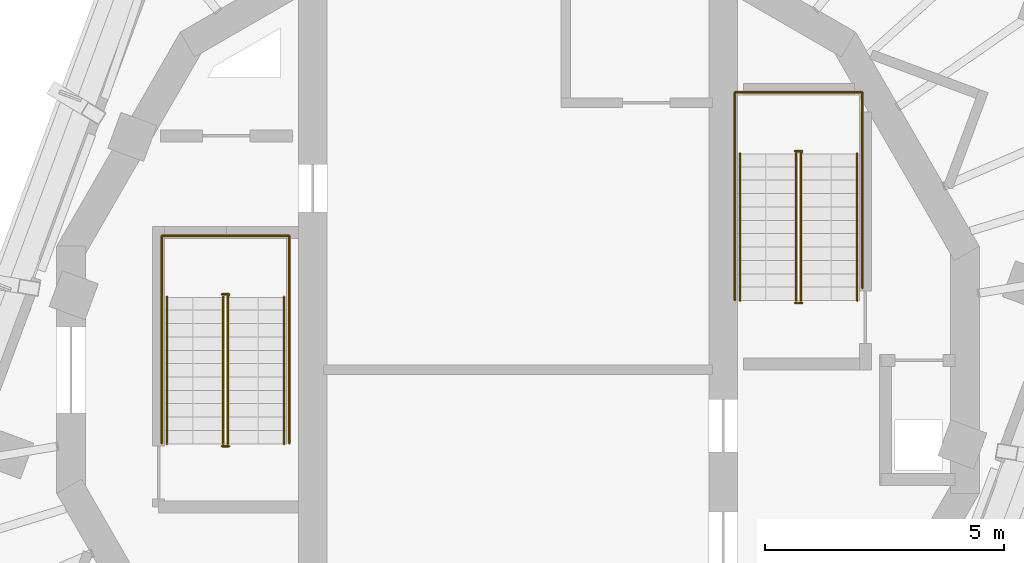
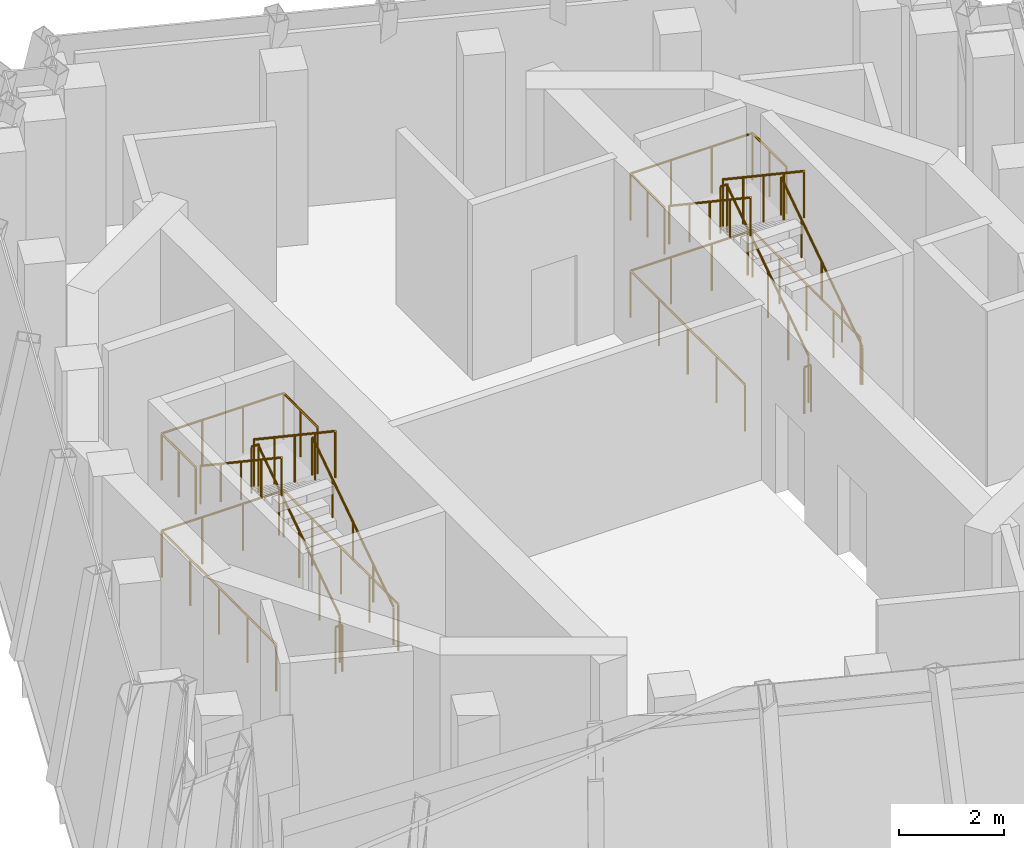
# One storey, part 11 of 11: 14 railings.
"""IFC4 building model written with IfcOpenShell, lengths in metres."""

from ifc_helpers import new_model, si_unit, direction, frame, origin, origin_2d, place, context, subcontext, project, spatial, circle, extrude, material, type_object, element, save


model = new_model("IFC4")

# Units and contexts
model_context = context("Model", 3, precision=1e-05, world=origin(), true_north=direction((0.0, 1.0)))
body_context = subcontext(model_context, "Body", "Model", "MODEL_VIEW")
ifc_project = project(units=[si_unit("LENGTHUNIT", "METRE"), si_unit("AREAUNIT", "SQUARE_METRE"), si_unit("VOLUMEUNIT", "CUBIC_METRE"), si_unit("PLANEANGLEUNIT", "RADIAN"), si_unit("MASSUNIT", "GRAM", prefix="KILO")], contexts=[model_context])

# Site, building, storey
site_placement = place(None, origin())
site = spatial("IfcSite", under=ifc_project, at=site_placement, CompositionType="ELEMENT")
building_placement = place(site_placement, origin())
building = spatial("IfcBuilding", under=site, at=building_placement, Name="Cantera Rosa Tower", CompositionType="ELEMENT")
storey_placement = place(building_placement, frame((0.0, 0.0, 369.699951171875)))
storey = spatial("IfcBuildingStorey", under=building, at=storey_placement, Name="L83", CompositionType="ELEMENT", Elevation=369.699951171875)

# Railings
ifc_material_1 = material(Name="Steel S355J2 (EN 10025-2)", Category="steel")
railing_type_1 = type_object("IfcRailingType", Name="STAIR GUARD 1100", PredefinedType="GUARDRAIL", material=ifc_material_1)
railing_1_placement = place(storey_placement, frame((-6.075927734375, -1.550048828125, 0.1875)))
element("IfcRailing", 1, at=railing_1_placement, inside=storey, type_object=railing_type_1, Name="L83 ST-71 stair guard 1", PredefinedType="GUARDRAIL", context=body_context, shape_type="SweptSolid", body=[
    extrude(circle(Radius=0.02392578125, at=origin_2d()), frame((0.0, 0.0, 1.076171875), z_axis=(0.0, 0.830913701846, 0.55640131208), x_axis=(-1.0, 0.0, 0.0)), (0.0, 0.0, 1.0), 3.706787109375),
    extrude(circle(Radius=0.02392578125, at=origin_2d()), frame((0.0, 3.080078125, 3.138671875), z_axis=(0.459305035911, 0.888278607187, 0.0), x_axis=(-0.888278607187, 0.459305035911, 0.0)), (0.0, 0.0, 1.0), 0.056396484375),
    extrude(circle(Radius=0.02392578125, at=origin_2d()), frame((0.02587890625, 3.130126953125, 3.138671875), z_axis=(-1.0, 0.0, 0.0), x_axis=(0.0, -1.0, 0.0)), (0.0, 0.0, 1.0), 0.14990234375),
    extrude(circle(Radius=0.02099609375, at=origin_2d()), origin(), (0.0, 0.0, 1.0), 1.052001953125),
    extrude(circle(Radius=0.02099609375, at=origin_2d()), frame((0.0, 0.77001953125, 0.515625)), (0.0, 0.0, 1.0), 1.052001953125),
    extrude(circle(Radius=0.02099609375, at=origin_2d()), frame((0.0, 1.5400390625, 1.03125)), (0.0, 0.0, 1.0), 1.052001953125),
    extrude(circle(Radius=0.02099609375, at=origin_2d()), frame((0.0, 2.31005859375, 1.546875)), (0.0, 0.0, 1.0), 1.052001953125),
    extrude(circle(Radius=0.02099609375, at=origin_2d()), frame((0.0, 3.080078125, 2.0625)), (0.0, 0.0, 1.0), 1.052001953125),
    extrude(circle(Radius=0.02099609375, at=origin_2d()), frame((0.02587890625, 3.130126953125, 2.0625)), (0.0, 0.0, 1.0), 1.052001953125),
    extrude(circle(Radius=0.02099609375, at=origin_2d()), frame((-0.1240234375, 3.130126953125, 2.0625)), (0.0, 0.0, 1.0), 1.052001953125),
])
railing_2_placement = place(storey_placement, frame((-6.174072265625, 1.530029296875, 2.4375)))
element("IfcRailing", 2, at=railing_2_placement, inside=storey, type_object=railing_type_1, Name="L83 ST-71 stair guard 2", PredefinedType="GUARDRAIL", context=body_context, shape_type="SweptSolid", body=[
    extrude(circle(Radius=0.02392578125, at=origin_2d()), frame((0.0, 0.0, 1.076171875), z_axis=(0.0, -0.830913701846, 0.55640131208), x_axis=(1.0, 0.0, 0.0)), (0.0, 0.0, 1.0), 3.706787109375),
    extrude(circle(Radius=0.02099609375, at=origin_2d()), origin(), (0.0, 0.0, 1.0), 1.052001953125),
    extrude(circle(Radius=0.02099609375, at=origin_2d()), frame((0.0, -0.77001953125, 0.515625)), (0.0, 0.0, 1.0), 1.052001953125),
    extrude(circle(Radius=0.02099609375, at=origin_2d()), frame((0.0, -1.5400390625, 1.03125)), (0.0, 0.0, 1.0), 1.052001953125),
    extrude(circle(Radius=0.02099609375, at=origin_2d()), frame((0.0, -2.31005859375, 1.546875)), (0.0, 0.0, 1.0), 1.052001953125),
    extrude(circle(Radius=0.02099609375, at=origin_2d()), frame((0.0, -3.080078125, 2.0625)), (0.0, 0.0, 1.0), 1.052001953125),
])
railing_3_placement = place(storey_placement, frame((-6.050048828125, -1.60009765625, 0.0)))
element("IfcRailing", 3, at=railing_3_placement, inside=storey, type_object=railing_type_1, Name="L83 ST-71 stair guard 3", PredefinedType="GUARDRAIL", context=body_context, shape_type="SweptSolid", body=[
    extrude(circle(Radius=0.02392578125, at=origin_2d()), frame((0.0, 0.0, 1.076171875), z_axis=(-1.0, 0.0, 0.0), x_axis=(0.0, -1.0, 0.0)), (0.0, 0.0, 1.0), 0.14990234375),
    extrude(circle(Radius=0.02099609375, at=origin_2d()), origin(), (0.0, 0.0, 1.0), 1.052001953125),
    extrude(circle(Radius=0.02099609375, at=origin_2d()), frame((-0.14990234375, 0.0, 0.0)), (0.0, 0.0, 1.0), 1.052001953125),
])
railing_4_placement = place(storey_placement, frame((-4.7900390625, -1.5380859375, 0.0)))
element("IfcRailing", 4, at=railing_4_placement, inside=storey, type_object=railing_type_1, Name="L83 ST-71 stair guard 4", PredefinedType="GUARDRAIL", context=body_context, shape_type="SweptSolid", body=[
    extrude(circle(Radius=0.02392578125, at=origin_2d()), frame((0.0, 0.0, 1.076171875), z_axis=(0.0, 1.0, 0.0), x_axis=(-1.0, 0.0, 0.0)), (0.0, 0.0, 1.0), 4.34814453125),
    extrude(circle(Radius=0.02392578125, at=origin_2d()), frame((0.0, 4.34814453125, 1.076171875), z_axis=(-1.0, 0.0, 0.0), x_axis=(0.0, -1.0, 0.0)), (0.0, 0.0, 1.0), 2.669921875),
    extrude(circle(Radius=0.02392578125, at=origin_2d()), frame((-2.669921875, 4.34814453125, 1.076171875), z_axis=(0.0, -1.0, 0.0), x_axis=(1.0, 0.0, 0.0)), (0.0, 0.0, 1.0), 4.34814453125),
    extrude(circle(Radius=0.02099609375, at=origin_2d()), origin(), (0.0, 0.0, 1.0), 1.052001953125),
    extrude(circle(Radius=0.02099609375, at=origin_2d()), frame((0.0, 1.0869140625, 0.0)), (0.0, 0.0, 1.0), 1.052001953125),
    extrude(circle(Radius=0.02099609375, at=origin_2d()), frame((0.0, 2.174072265625, 0.0)), (0.0, 0.0, 1.0), 1.052001953125),
    extrude(circle(Radius=0.02099609375, at=origin_2d()), frame((0.0, 3.26123046875, 0.0)), (0.0, 0.0, 1.0), 1.052001953125),
    extrude(circle(Radius=0.02099609375, at=origin_2d()), frame((0.0, 4.34814453125, 0.0)), (0.0, 0.0, 1.0), 1.052001953125),
    extrude(circle(Radius=0.02099609375, at=origin_2d()), frame((-0.889892578125, 4.34814453125, 0.0)), (0.0, 0.0, 1.0), 1.052001953125),
    extrude(circle(Radius=0.02099609375, at=origin_2d()), frame((-1.780029296875, 4.34814453125, 0.0)), (0.0, 0.0, 1.0), 1.052001953125),
    extrude(circle(Radius=0.02099609375, at=origin_2d()), frame((-2.669921875, 4.34814453125, 0.0)), (0.0, 0.0, 1.0), 1.052001953125),
    extrude(circle(Radius=0.02099609375, at=origin_2d()), frame((-2.669921875, 3.26123046875, 0.0)), (0.0, 0.0, 1.0), 1.052001953125),
    extrude(circle(Radius=0.02099609375, at=origin_2d()), frame((-2.669921875, 2.174072265625, 0.0)), (0.0, 0.0, 1.0), 1.052001953125),
    extrude(circle(Radius=0.02099609375, at=origin_2d()), frame((-2.669921875, 1.0869140625, 0.0)), (0.0, 0.0, 1.0), 1.052001953125),
    extrude(circle(Radius=0.02099609375, at=origin_2d()), frame((-2.669921875, 0.0, 0.0)), (0.0, 0.0, 1.0), 1.052001953125),
])
railing_5_placement = place(storey_placement, frame((-4.7900390625, 1.51806640625, 2.25)))
element("IfcRailing", 5, at=railing_5_placement, inside=storey, type_object=railing_type_1, Name="L83 ST-71 stair guard 5", PredefinedType="GUARDRAIL", context=body_context, shape_type="SweptSolid", body=[
    extrude(circle(Radius=0.02392578125, at=origin_2d()), frame((0.0, 0.0, 1.076171875), z_axis=(0.0, 1.0, 0.0), x_axis=(-1.0, 0.0, 0.0)), (0.0, 0.0, 1.0), 1.2919921875),
    extrude(circle(Radius=0.02392578125, at=origin_2d()), frame((0.0, 1.2919921875, 1.076171875), z_axis=(-1.0, 0.0, 0.0), x_axis=(0.0, -1.0, 0.0)), (0.0, 0.0, 1.0), 2.669921875),
    extrude(circle(Radius=0.02392578125, at=origin_2d()), frame((-2.669921875, 1.2919921875, 1.076171875), z_axis=(0.0, -1.0, 0.0), x_axis=(1.0, 0.0, 0.0)), (0.0, 0.0, 1.0), 1.2919921875),
    extrude(circle(Radius=0.02099609375, at=origin_2d()), origin(), (0.0, 0.0, 1.0), 1.052001953125),
    extrude(circle(Radius=0.02099609375, at=origin_2d()), frame((0.0, 0.64599609375, 0.0)), (0.0, 0.0, 1.0), 1.052001953125),
    extrude(circle(Radius=0.02099609375, at=origin_2d()), frame((0.0, 1.2919921875, 0.0)), (0.0, 0.0, 1.0), 1.052001953125),
    extrude(circle(Radius=0.02099609375, at=origin_2d()), frame((-0.889892578125, 1.2919921875, 0.0)), (0.0, 0.0, 1.0), 1.052001953125),
    extrude(circle(Radius=0.02099609375, at=origin_2d()), frame((-1.780029296875, 1.2919921875, 0.0)), (0.0, 0.0, 1.0), 1.052001953125),
    extrude(circle(Radius=0.02099609375, at=origin_2d()), frame((-2.669921875, 1.2919921875, 0.0)), (0.0, 0.0, 1.0), 1.052001953125),
    extrude(circle(Radius=0.02099609375, at=origin_2d()), frame((-2.669921875, 0.64599609375, 0.0)), (0.0, 0.0, 1.0), 1.052001953125),
    extrude(circle(Radius=0.02099609375, at=origin_2d()), frame((-2.669921875, 0.0, 0.0)), (0.0, 0.0, 1.0), 1.052001953125),
])
railing_6_placement = place(storey_placement, frame((5.924072265625, 1.449951171875, 0.1875)))
element("IfcRailing", 6, at=railing_6_placement, inside=storey, type_object=railing_type_1, Name="L83 ST-72 stair guard 1", PredefinedType="GUARDRAIL", context=body_context, shape_type="SweptSolid", body=[
    extrude(circle(Radius=0.02392578125, at=origin_2d()), frame((0.0, 0.0, 1.076171875), z_axis=(0.0, 0.830913701846, 0.55640131208), x_axis=(-1.0, 0.0, 0.0)), (0.0, 0.0, 1.0), 3.706787109375),
    extrude(circle(Radius=0.02392578125, at=origin_2d()), frame((0.0, 3.080078125, 3.138671875), z_axis=(0.459305035911, 0.888278607187, 0.0), x_axis=(-0.888278607187, 0.459305035911, 0.0)), (0.0, 0.0, 1.0), 0.056396484375),
    extrude(circle(Radius=0.02392578125, at=origin_2d()), frame((0.02587890625, 3.130126953125, 3.138671875), z_axis=(-1.0, 0.0, 0.0), x_axis=(0.0, -1.0, 0.0)), (0.0, 0.0, 1.0), 0.14990234375),
    extrude(circle(Radius=0.02099609375, at=origin_2d()), origin(), (0.0, 0.0, 1.0), 1.052001953125),
    extrude(circle(Radius=0.02099609375, at=origin_2d()), frame((0.0, 0.77001953125, 0.515625)), (0.0, 0.0, 1.0), 1.052001953125),
    extrude(circle(Radius=0.02099609375, at=origin_2d()), frame((0.0, 1.5400390625, 1.03125)), (0.0, 0.0, 1.0), 1.052001953125),
    extrude(circle(Radius=0.02099609375, at=origin_2d()), frame((0.0, 2.31005859375, 1.546875)), (0.0, 0.0, 1.0), 1.052001953125),
    extrude(circle(Radius=0.02099609375, at=origin_2d()), frame((0.0, 3.080078125, 2.0625)), (0.0, 0.0, 1.0), 1.052001953125),
    extrude(circle(Radius=0.02099609375, at=origin_2d()), frame((0.02587890625, 3.130126953125, 2.0625)), (0.0, 0.0, 1.0), 1.052001953125),
    extrude(circle(Radius=0.02099609375, at=origin_2d()), frame((-0.1240234375, 3.130126953125, 2.0625)), (0.0, 0.0, 1.0), 1.052001953125),
])
railing_7_placement = place(storey_placement, frame((5.825927734375, 4.530029296875, 2.4375)))
element("IfcRailing", 7, at=railing_7_placement, inside=storey, type_object=railing_type_1, Name="L83 ST-72 stair guard 2", PredefinedType="GUARDRAIL", context=body_context, shape_type="SweptSolid", body=[
    extrude(circle(Radius=0.02392578125, at=origin_2d()), frame((0.0, 0.0, 1.076171875), z_axis=(0.0, -0.830913701846, 0.55640131208), x_axis=(1.0, 0.0, 0.0)), (0.0, 0.0, 1.0), 3.706787109375),
    extrude(circle(Radius=0.02099609375, at=origin_2d()), origin(), (0.0, 0.0, 1.0), 1.052001953125),
    extrude(circle(Radius=0.02099609375, at=origin_2d()), frame((0.0, -0.77001953125, 0.515625)), (0.0, 0.0, 1.0), 1.052001953125),
    extrude(circle(Radius=0.02099609375, at=origin_2d()), frame((0.0, -1.5400390625, 1.03125)), (0.0, 0.0, 1.0), 1.052001953125),
    extrude(circle(Radius=0.02099609375, at=origin_2d()), frame((0.0, -2.31005859375, 1.546875)), (0.0, 0.0, 1.0), 1.052001953125),
    extrude(circle(Radius=0.02099609375, at=origin_2d()), frame((0.0, -3.080078125, 2.0625)), (0.0, 0.0, 1.0), 1.052001953125),
])
railing_8_placement = place(storey_placement, frame((5.949951171875, 1.39990234375, 0.0)))
element("IfcRailing", 8, at=railing_8_placement, inside=storey, type_object=railing_type_1, Name="L83 ST-72 stair guard 3", PredefinedType="GUARDRAIL", context=body_context, shape_type="SweptSolid", body=[
    extrude(circle(Radius=0.02392578125, at=origin_2d()), frame((0.0, 0.0, 1.076171875), z_axis=(-1.0, 0.0, 0.0), x_axis=(0.0, -1.0, 0.0)), (0.0, 0.0, 1.0), 0.14990234375),
    extrude(circle(Radius=0.02099609375, at=origin_2d()), origin(), (0.0, 0.0, 1.0), 1.052001953125),
    extrude(circle(Radius=0.02099609375, at=origin_2d()), frame((-0.14990234375, 0.0, 0.0)), (0.0, 0.0, 1.0), 1.052001953125),
])
railing_9_placement = place(storey_placement, frame((7.2099609375, 1.7099609375, 0.0)))
element("IfcRailing", 9, at=railing_9_placement, inside=storey, type_object=railing_type_1, Name="L83 ST-72 stair guard 4", PredefinedType="GUARDRAIL", context=body_context, shape_type="SweptSolid", body=[
    extrude(circle(Radius=0.02392578125, at=origin_2d()), frame((0.0, 0.0, 1.076171875), z_axis=(0.0, 1.0, 0.0), x_axis=(-1.0, 0.0, 0.0)), (0.0, 0.0, 1.0), 4.10009765625),
    extrude(circle(Radius=0.02392578125, at=origin_2d()), frame((0.0, 4.10009765625, 1.076171875), z_axis=(-1.0, 0.0, 0.0), x_axis=(0.0, -1.0, 0.0)), (0.0, 0.0, 1.0), 2.669921875),
    extrude(circle(Radius=0.02392578125, at=origin_2d()), frame((-2.669921875, 4.10009765625, 1.076171875), z_axis=(0.0, -1.0, 0.0), x_axis=(1.0, 0.0, 0.0)), (0.0, 0.0, 1.0), 4.34814453125),
    extrude(circle(Radius=0.02099609375, at=origin_2d()), origin(), (0.0, 0.0, 1.0), 1.052001953125),
    extrude(circle(Radius=0.02099609375, at=origin_2d()), frame((0.0, 1.02490234375, 0.0)), (0.0, 0.0, 1.0), 1.052001953125),
    extrude(circle(Radius=0.02099609375, at=origin_2d()), frame((0.0, 2.050048828125, 0.0)), (0.0, 0.0, 1.0), 1.052001953125),
    extrude(circle(Radius=0.02099609375, at=origin_2d()), frame((0.0, 3.0751953125, 0.0)), (0.0, 0.0, 1.0), 1.052001953125),
    extrude(circle(Radius=0.02099609375, at=origin_2d()), frame((0.0, 4.10009765625, 0.0)), (0.0, 0.0, 1.0), 1.052001953125),
    extrude(circle(Radius=0.02099609375, at=origin_2d()), frame((-0.889892578125, 4.10009765625, 0.0)), (0.0, 0.0, 1.0), 1.052001953125),
    extrude(circle(Radius=0.02099609375, at=origin_2d()), frame((-1.780029296875, 4.10009765625, 0.0)), (0.0, 0.0, 1.0), 1.052001953125),
    extrude(circle(Radius=0.02099609375, at=origin_2d()), frame((-2.669921875, 4.10009765625, 0.0)), (0.0, 0.0, 1.0), 1.052001953125),
    extrude(circle(Radius=0.02099609375, at=origin_2d()), frame((-2.669921875, 3.01318359375, 0.0)), (0.0, 0.0, 1.0), 1.052001953125),
    extrude(circle(Radius=0.02099609375, at=origin_2d()), frame((-2.669921875, 1.926025390625, 0.0)), (0.0, 0.0, 1.0), 1.052001953125),
    extrude(circle(Radius=0.02099609375, at=origin_2d()), frame((-2.669921875, 0.8388671875, 0.0)), (0.0, 0.0, 1.0), 1.052001953125),
    extrude(circle(Radius=0.02099609375, at=origin_2d()), frame((-2.669921875, -0.248046875, 0.0)), (0.0, 0.0, 1.0), 1.052001953125),
])
railing_10_placement = place(storey_placement, frame((7.2099609375, 4.51806640625, 2.25)))
element("IfcRailing", 10, at=railing_10_placement, inside=storey, type_object=railing_type_1, Name="L83 ST-72 stair guard 5", PredefinedType="GUARDRAIL", context=body_context, shape_type="SweptSolid", body=[
    extrude(circle(Radius=0.02392578125, at=origin_2d()), frame((0.0, 0.0, 1.076171875), z_axis=(0.0, 1.0, 0.0), x_axis=(-1.0, 0.0, 0.0)), (0.0, 0.0, 1.0), 1.2919921875),
    extrude(circle(Radius=0.02392578125, at=origin_2d()), frame((0.0, 1.2919921875, 1.076171875), z_axis=(-1.0, 0.0, 0.0), x_axis=(0.0, -1.0, 0.0)), (0.0, 0.0, 1.0), 2.669921875),
    extrude(circle(Radius=0.02392578125, at=origin_2d()), frame((-2.669921875, 1.2919921875, 1.076171875), z_axis=(0.0, -1.0, 0.0), x_axis=(1.0, 0.0, 0.0)), (0.0, 0.0, 1.0), 1.2919921875),
    extrude(circle(Radius=0.02099609375, at=origin_2d()), origin(), (0.0, 0.0, 1.0), 1.052001953125),
    extrude(circle(Radius=0.02099609375, at=origin_2d()), frame((0.0, 0.64599609375, 0.0)), (0.0, 0.0, 1.0), 1.052001953125),
    extrude(circle(Radius=0.02099609375, at=origin_2d()), frame((0.0, 1.2919921875, 0.0)), (0.0, 0.0, 1.0), 1.052001953125),
    extrude(circle(Radius=0.02099609375, at=origin_2d()), frame((-0.889892578125, 1.2919921875, 0.0)), (0.0, 0.0, 1.0), 1.052001953125),
    extrude(circle(Radius=0.02099609375, at=origin_2d()), frame((-1.780029296875, 1.2919921875, 0.0)), (0.0, 0.0, 1.0), 1.052001953125),
    extrude(circle(Radius=0.02099609375, at=origin_2d()), frame((-2.669921875, 1.2919921875, 0.0)), (0.0, 0.0, 1.0), 1.052001953125),
    extrude(circle(Radius=0.02099609375, at=origin_2d()), frame((-2.669921875, 0.64599609375, 0.0)), (0.0, 0.0, 1.0), 1.052001953125),
    extrude(circle(Radius=0.02099609375, at=origin_2d()), frame((-2.669921875, 0.0, 0.0)), (0.0, 0.0, 1.0), 1.052001953125),
])
ifc_material_2 = material(Name="Steel S355J2 (EN 10025-2)", Category="steel")
railing_type_2 = type_object("IfcRailingType", Name="STAIR HANDRAIL 900", PredefinedType="HANDRAIL", material=ifc_material_2)
railing_11_placement = place(storey_placement, frame((-4.89990234375, -1.550048828125, 0.1875)))
element("IfcRailing", 11, at=railing_11_placement, inside=storey, type_object=railing_type_2, Name="L83 ST-71 stair handrail 1", PredefinedType="HANDRAIL", context=body_context, shape_type="SweptSolid", body=[
    extrude(circle(Radius=0.02392578125, at=origin_2d()), frame((0.0, 0.0, 0.8759765625), z_axis=(0.0, 0.830913701846, 0.55640131208), x_axis=(-1.0, 0.0, 0.0)), (0.0, 0.0, 1.0), 3.706787109375),
    extrude(circle(Radius=0.02099609375, at=origin_2d()), origin(), (0.0, 0.0, 1.0), 0.851806640625),
    extrude(circle(Radius=0.02099609375, at=origin_2d()), frame((0.0, 0.77001953125, 0.515625)), (0.0, 0.0, 1.0), 0.851806640625),
    extrude(circle(Radius=0.02099609375, at=origin_2d()), frame((0.0, 1.5400390625, 1.03125)), (0.0, 0.0, 1.0), 0.851806640625),
    extrude(circle(Radius=0.02099609375, at=origin_2d()), frame((0.0, 2.31005859375, 1.546875)), (0.0, 0.0, 1.0), 0.851806640625),
    extrude(circle(Radius=0.02099609375, at=origin_2d()), frame((0.0, 3.080078125, 2.0625)), (0.0, 0.0, 1.0), 0.851806640625),
])
railing_12_placement = place(storey_placement, frame((-7.35009765625, 1.530029296875, 2.4375)))
element("IfcRailing", 12, at=railing_12_placement, inside=storey, type_object=railing_type_2, Name="L83 ST-71 stair handrail 2", PredefinedType="HANDRAIL", context=body_context, shape_type="SweptSolid", body=[
    extrude(circle(Radius=0.02392578125, at=origin_2d()), frame((0.0, 0.0, 0.8759765625), z_axis=(0.0, -0.830913701846, 0.55640131208), x_axis=(1.0, 0.0, 0.0)), (0.0, 0.0, 1.0), 3.706787109375),
    extrude(circle(Radius=0.02099609375, at=origin_2d()), origin(), (0.0, 0.0, 1.0), 0.851806640625),
    extrude(circle(Radius=0.02099609375, at=origin_2d()), frame((0.0, -0.77001953125, 0.515625)), (0.0, 0.0, 1.0), 0.851806640625),
    extrude(circle(Radius=0.02099609375, at=origin_2d()), frame((0.0, -1.5400390625, 1.03125)), (0.0, 0.0, 1.0), 0.851806640625),
    extrude(circle(Radius=0.02099609375, at=origin_2d()), frame((0.0, -2.31005859375, 1.546875)), (0.0, 0.0, 1.0), 0.851806640625),
    extrude(circle(Radius=0.02099609375, at=origin_2d()), frame((0.0, -3.080078125, 2.0625)), (0.0, 0.0, 1.0), 0.851806640625),
])
railing_13_placement = place(storey_placement, frame((7.10009765625, 1.449951171875, 0.1875)))
element("IfcRailing", 13, at=railing_13_placement, inside=storey, type_object=railing_type_2, Name="L83 ST-72 stair handrail 1", PredefinedType="HANDRAIL", context=body_context, shape_type="SweptSolid", body=[
    extrude(circle(Radius=0.02392578125, at=origin_2d()), frame((0.0, 0.0, 0.8759765625), z_axis=(0.0, 0.830913701846, 0.55640131208), x_axis=(-1.0, 0.0, 0.0)), (0.0, 0.0, 1.0), 3.706787109375),
    extrude(circle(Radius=0.02099609375, at=origin_2d()), origin(), (0.0, 0.0, 1.0), 0.851806640625),
    extrude(circle(Radius=0.02099609375, at=origin_2d()), frame((0.0, 0.77001953125, 0.515625)), (0.0, 0.0, 1.0), 0.851806640625),
    extrude(circle(Radius=0.02099609375, at=origin_2d()), frame((0.0, 1.5400390625, 1.03125)), (0.0, 0.0, 1.0), 0.851806640625),
    extrude(circle(Radius=0.02099609375, at=origin_2d()), frame((0.0, 2.31005859375, 1.546875)), (0.0, 0.0, 1.0), 0.851806640625),
    extrude(circle(Radius=0.02099609375, at=origin_2d()), frame((0.0, 3.080078125, 2.0625)), (0.0, 0.0, 1.0), 0.851806640625),
])
railing_14_placement = place(storey_placement, frame((4.64990234375, 4.530029296875, 2.4375)))
element("IfcRailing", 14, at=railing_14_placement, inside=storey, type_object=railing_type_2, Name="L83 ST-72 stair handrail 2", PredefinedType="HANDRAIL", context=body_context, shape_type="SweptSolid", body=[
    extrude(circle(Radius=0.02392578125, at=origin_2d()), frame((0.0, 0.0, 0.8759765625), z_axis=(0.0, -0.830913701846, 0.55640131208), x_axis=(1.0, 0.0, 0.0)), (0.0, 0.0, 1.0), 3.706787109375),
    extrude(circle(Radius=0.02099609375, at=origin_2d()), origin(), (0.0, 0.0, 1.0), 0.851806640625),
    extrude(circle(Radius=0.02099609375, at=origin_2d()), frame((0.0, -0.77001953125, 0.515625)), (0.0, 0.0, 1.0), 0.851806640625),
    extrude(circle(Radius=0.02099609375, at=origin_2d()), frame((0.0, -1.5400390625, 1.03125)), (0.0, 0.0, 1.0), 0.851806640625),
    extrude(circle(Radius=0.02099609375, at=origin_2d()), frame((0.0, -2.31005859375, 1.546875)), (0.0, 0.0, 1.0), 0.851806640625),
    extrude(circle(Radius=0.02099609375, at=origin_2d()), frame((0.0, -3.080078125, 2.0625)), (0.0, 0.0, 1.0), 0.851806640625),
])

save(model, "model.ifc")
